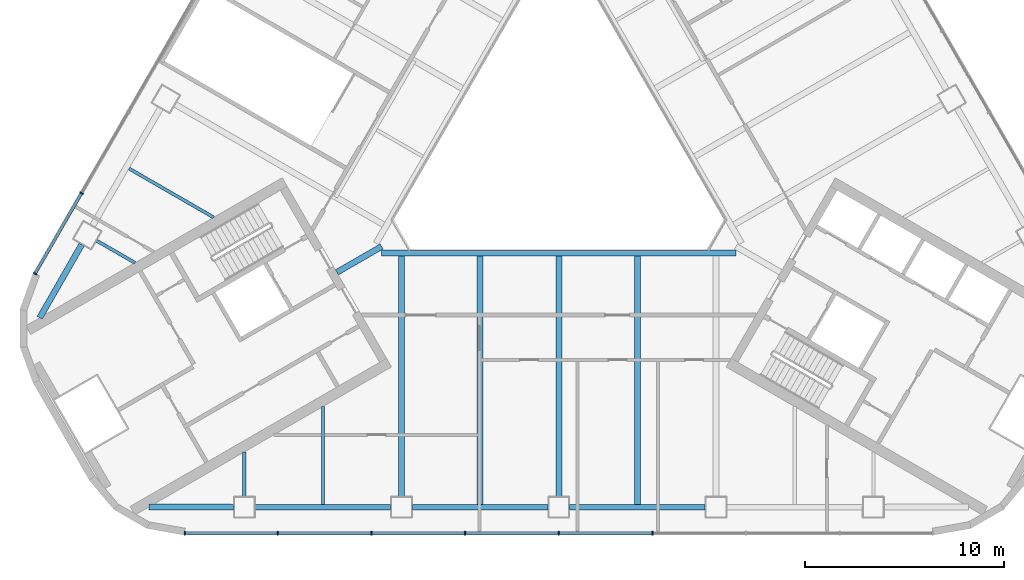
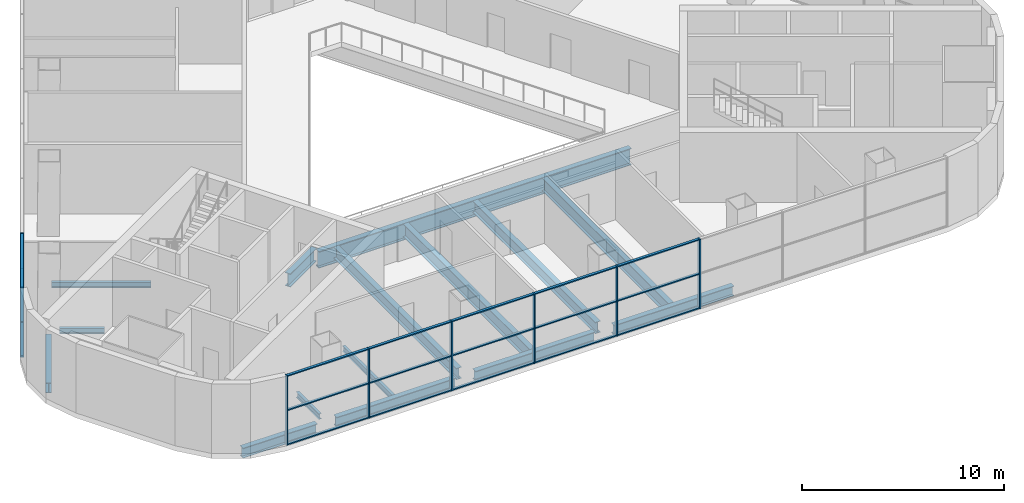
# One storey, part 2 of 12: 26 members, 15 beams, 2 elements without a shape of their own.
"""IFC4 building model written with IfcOpenShell, lengths in metres."""

from ifc_helpers import new_model, si_unit, direction, frame, origin, origin_2d, place, context, subcontext, project, spatial, rectangle, i_section, extrude, material, layer, layer_set, material_profile, profile_set, type_object, element, aggregate, save


model = new_model("IFC4")

# Units and contexts
model_context = context("Model", 3, precision=1e-05, world=origin(), true_north=direction((0.0, 1.0)))
body_context = subcontext(model_context, "Body", "Model", "MODEL_VIEW")
ifc_project = project(units=[si_unit("LENGTHUNIT", "METRE"), si_unit("AREAUNIT", "SQUARE_METRE"), si_unit("VOLUMEUNIT", "CUBIC_METRE"), si_unit("PLANEANGLEUNIT", "RADIAN"), si_unit("MASSUNIT", "GRAM", prefix="KILO")], contexts=[model_context])

# Site, building, storey
site_placement = place(None, origin())
site = spatial("IfcSite", under=ifc_project, at=site_placement, CompositionType="ELEMENT")
building_placement = place(site_placement, origin())
building = spatial("IfcBuilding", under=site, at=building_placement, Name="Apuvela Tower Hotel", CompositionType="ELEMENT")
storey_placement = place(building_placement, frame((0.0, 0.0, 33.0)))
storey = spatial("IfcBuildingStorey", under=building, at=storey_placement, Name="L05", CompositionType="ELEMENT", Elevation=33.0)

# Curtain wall, members
ifc_material_1 = material(Name="Aluminium 6063-T6, dark bronze anodised", Category="aluminium")
ifc_layer = layer(ifc_material_1, 0.199951171875)
ifc_layer_set = layer_set([ifc_layer], Name="ENV-CW-P")
curtain_wall_type = type_object("IfcCurtainWallType", Name="ENV-CW-P", PredefinedType="NOTDEFINED", material=ifc_layer_set)
curtain_wall_1_placement = place(storey_placement, origin())
curtain_wall_1 = element("IfcCurtainWall", 1, at=curtain_wall_1_placement, inside=storey, type_object=curtain_wall_type, Name="Curtain wall CW-P S L05", PredefinedType="NOTDEFINED")
ifc_material_profile_1 = material_profile(ifc_material_1, rectangle(XDim=0.199951171875, YDim=0.06494140625, at=origin_2d()), Name="AL 65x200")
ifc_profile_set_1 = profile_set([ifc_material_profile_1], Name="Aluminium 6063-T6, dark bronze anodised")
member_type_1 = type_object("IfcMemberType", Name="ENV-MULLION-65x200", PredefinedType="MULLION", material=ifc_profile_set_1)
member_1_placement = place(storey_placement, frame((-18.827392578125, -19.576171875, 0.0), z_axis=(0.0, 0.0, 1.0), x_axis=(0.0, 1.0, 0.0)))
member_1 = element("IfcMember", 2, at=member_1_placement, type_object=member_type_1, Name="CW-P mullion 1", PredefinedType="MULLION", context=body_context, shape_type="SweptSolid", body=[
    extrude(rectangle(XDim=0.199951171875, YDim=0.06494140625, at=origin_2d()), origin(), (0.0, 0.0, 1.0), 4.199951171875),
])
member_2_placement = place(storey_placement, frame((-14.14501953125, -19.576171875, 0.0), z_axis=(0.0, 0.0, 1.0), x_axis=(0.0, 1.0, 0.0)))
member_2 = element("IfcMember", 3, at=member_2_placement, type_object=member_type_1, Name="CW-P mullion 2", PredefinedType="MULLION", context=body_context, shape_type="SweptSolid", body=[
    extrude(rectangle(XDim=0.199951171875, YDim=0.06494140625, at=origin_2d()), origin(), (0.0, 0.0, 1.0), 4.199951171875),
])
member_3_placement = place(storey_placement, frame((-9.429931640625, -19.576171875, 0.0), z_axis=(0.0, 0.0, 1.0), x_axis=(0.0, 1.0, 0.0)))
member_3 = element("IfcMember", 4, at=member_3_placement, type_object=member_type_1, Name="CW-P mullion 3", PredefinedType="MULLION", context=body_context, shape_type="SweptSolid", body=[
    extrude(rectangle(XDim=0.199951171875, YDim=0.06494140625, at=origin_2d()), origin(), (0.0, 0.0, 1.0), 4.199951171875),
])
member_4_placement = place(storey_placement, frame((-4.715087890625, -19.576171875, 0.0), z_axis=(0.0, 0.0, 1.0), x_axis=(0.0, 1.0, 0.0)))
member_4 = element("IfcMember", 5, at=member_4_placement, type_object=member_type_1, Name="CW-P mullion 4", PredefinedType="MULLION", context=body_context, shape_type="SweptSolid", body=[
    extrude(rectangle(XDim=0.199951171875, YDim=0.06494140625, at=origin_2d()), origin(), (0.0, 0.0, 1.0), 4.199951171875),
])
member_5_placement = place(storey_placement, frame((0.0, -19.576171875, 0.0), z_axis=(0.0, 0.0, 1.0), x_axis=(0.0, 1.0, 0.0)))
member_5 = element("IfcMember", 6, at=member_5_placement, type_object=member_type_1, Name="CW-P mullion 5", PredefinedType="MULLION", context=body_context, shape_type="SweptSolid", body=[
    extrude(rectangle(XDim=0.199951171875, YDim=0.06494140625, at=origin_2d()), origin(), (0.0, 0.0, 1.0), 4.199951171875),
])
member_6_placement = place(storey_placement, frame((4.715087890625, -19.576171875, 0.0), z_axis=(0.0, 0.0, 1.0), x_axis=(0.0, 1.0, 0.0)))
member_6 = element("IfcMember", 7, at=member_6_placement, type_object=member_type_1, Name="CW-P mullion 6", PredefinedType="MULLION", context=body_context, shape_type="SweptSolid", body=[
    extrude(rectangle(XDim=0.199951171875, YDim=0.06494140625, at=origin_2d()), origin(), (0.0, 0.0, 1.0), 4.199951171875),
])

curtain_wall_2_placement = place(storey_placement, origin())
curtain_wall_2 = element("IfcCurtainWall", 8, at=curtain_wall_2_placement, inside=storey, type_object=curtain_wall_type, Name="Curtain wall CW-P NW L05", PredefinedType="NOTDEFINED")
member_7_placement = place(storey_placement, frame((-24.02587890625, -2.4619140625, 0.0), z_axis=(0.0, 0.0, 1.0), x_axis=(0.866025548062, -0.499999750104, 0.0)))
member_7 = element("IfcMember", 9, at=member_7_placement, type_object=member_type_1, Name="CW-P mullion 8", PredefinedType="MULLION", context=body_context, shape_type="SweptSolid", body=[
    extrude(rectangle(XDim=0.199951171875, YDim=0.06494140625, at=origin_2d()), origin(), (0.0, 0.0, 1.0), 4.199951171875),
])
member_8_placement = place(storey_placement, frame((-26.3671875, -6.51708984375, 0.0), z_axis=(0.0, 0.0, 1.0), x_axis=(0.866025548062, -0.499999750104, 0.0)))
member_8 = element("IfcMember", 10, at=member_8_placement, type_object=member_type_1, Name="CW-P mullion 9", PredefinedType="MULLION", context=body_context, shape_type="SweptSolid", body=[
    extrude(rectangle(XDim=0.199951171875, YDim=0.06494140625, at=origin_2d()), origin(), (0.0, 0.0, 1.0), 4.199951171875),
])

# Member
ifc_material_profile_2 = material_profile(ifc_material_1, rectangle(XDim=0.14990234375, YDim=0.06494140625, at=origin_2d()), Name="AL 65x150 transom")
ifc_profile_set_2 = profile_set([ifc_material_profile_2], Name="Aluminium 6063-T6, dark bronze anodised")
member_type_2 = type_object("IfcMemberType", Name="ENV-TRANSOM-65x150", PredefinedType="USERDEFINED", material=ifc_profile_set_2)
member_9_placement = place(storey_placement, frame((-18.794921875, -19.576171875, 0.032470703125), z_axis=(1.0, 0.0, 0.0), x_axis=(0.0, 1.0, 0.0)))
member_9 = element("IfcMember", 11, at=member_9_placement, type_object=member_type_2, Name="CW-P transom 1.1", ObjectType="TRANSOM", PredefinedType="USERDEFINED", context=body_context, shape_type="SweptSolid", body=[
    extrude(rectangle(XDim=0.14990234375, YDim=0.06494140625, at=origin_2d()), origin(), (0.0, 0.0, 1.0), 4.617431640625),
])

member_10_placement = place(storey_placement, frame((-18.794921875, -19.576171875, 2.10009765625), z_axis=(1.0, 0.0, 0.0), x_axis=(0.0, 1.0, 0.0)))
member_10 = element("IfcMember", 12, at=member_10_placement, type_object=member_type_2, Name="CW-P transom 1.2", ObjectType="TRANSOM", PredefinedType="USERDEFINED", context=body_context, shape_type="SweptSolid", body=[
    extrude(rectangle(XDim=0.14990234375, YDim=0.06494140625, at=origin_2d()), origin(), (0.0, 0.0, 1.0), 4.617431640625),
])

member_11_placement = place(storey_placement, frame((-18.794921875, -19.576171875, 4.16748046875), z_axis=(1.0, 0.0, 0.0), x_axis=(0.0, 1.0, 0.0)))
member_11 = element("IfcMember", 13, at=member_11_placement, type_object=member_type_2, Name="CW-P transom 1.3", ObjectType="TRANSOM", PredefinedType="USERDEFINED", context=body_context, shape_type="SweptSolid", body=[
    extrude(rectangle(XDim=0.14990234375, YDim=0.06494140625, at=origin_2d()), origin(), (0.0, 0.0, 1.0), 4.617431640625),
])

member_12_placement = place(storey_placement, frame((-14.112548828125, -19.576171875, 0.032470703125), z_axis=(1.0, 0.0, 0.0), x_axis=(0.0, 1.0, 0.0)))
member_12 = element("IfcMember", 14, at=member_12_placement, type_object=member_type_2, Name="CW-P transom 2.1", ObjectType="TRANSOM", PredefinedType="USERDEFINED", context=body_context, shape_type="SweptSolid", body=[
    extrude(rectangle(XDim=0.14990234375, YDim=0.06494140625, at=origin_2d()), origin(), (0.0, 0.0, 1.0), 4.650146484375),
])

member_13_placement = place(storey_placement, frame((-14.112548828125, -19.576171875, 2.10009765625), z_axis=(1.0, 0.0, 0.0), x_axis=(0.0, 1.0, 0.0)))
member_13 = element("IfcMember", 15, at=member_13_placement, type_object=member_type_2, Name="CW-P transom 2.2", ObjectType="TRANSOM", PredefinedType="USERDEFINED", context=body_context, shape_type="SweptSolid", body=[
    extrude(rectangle(XDim=0.14990234375, YDim=0.06494140625, at=origin_2d()), origin(), (0.0, 0.0, 1.0), 4.650146484375),
])

member_14_placement = place(storey_placement, frame((-14.112548828125, -19.576171875, 4.16748046875), z_axis=(1.0, 0.0, 0.0), x_axis=(0.0, 1.0, 0.0)))
member_14 = element("IfcMember", 16, at=member_14_placement, type_object=member_type_2, Name="CW-P transom 2.3", ObjectType="TRANSOM", PredefinedType="USERDEFINED", context=body_context, shape_type="SweptSolid", body=[
    extrude(rectangle(XDim=0.14990234375, YDim=0.06494140625, at=origin_2d()), origin(), (0.0, 0.0, 1.0), 4.650146484375),
])

member_15_placement = place(storey_placement, frame((-9.3974609375, -19.576171875, 0.032470703125), z_axis=(1.0, 0.0, 0.0), x_axis=(0.0, 1.0, 0.0)))
member_15 = element("IfcMember", 17, at=member_15_placement, type_object=member_type_2, Name="CW-P transom 3.1", ObjectType="TRANSOM", PredefinedType="USERDEFINED", context=body_context, shape_type="SweptSolid", body=[
    extrude(rectangle(XDim=0.14990234375, YDim=0.06494140625, at=origin_2d()), origin(), (0.0, 0.0, 1.0), 4.64990234375),
])

member_16_placement = place(storey_placement, frame((-9.3974609375, -19.576171875, 2.10009765625), z_axis=(1.0, 0.0, 0.0), x_axis=(0.0, 1.0, 0.0)))
member_16 = element("IfcMember", 18, at=member_16_placement, type_object=member_type_2, Name="CW-P transom 3.2", ObjectType="TRANSOM", PredefinedType="USERDEFINED", context=body_context, shape_type="SweptSolid", body=[
    extrude(rectangle(XDim=0.14990234375, YDim=0.06494140625, at=origin_2d()), origin(), (0.0, 0.0, 1.0), 4.64990234375),
])

member_17_placement = place(storey_placement, frame((-9.3974609375, -19.576171875, 4.16748046875), z_axis=(1.0, 0.0, 0.0), x_axis=(0.0, 1.0, 0.0)))
member_17 = element("IfcMember", 19, at=member_17_placement, type_object=member_type_2, Name="CW-P transom 3.3", ObjectType="TRANSOM", PredefinedType="USERDEFINED", context=body_context, shape_type="SweptSolid", body=[
    extrude(rectangle(XDim=0.14990234375, YDim=0.06494140625, at=origin_2d()), origin(), (0.0, 0.0, 1.0), 4.64990234375),
])

member_18_placement = place(storey_placement, frame((-4.6826171875, -19.576171875, 0.032470703125), z_axis=(1.0, 0.0, 0.0), x_axis=(0.0, 1.0, 0.0)))
member_18 = element("IfcMember", 20, at=member_18_placement, type_object=member_type_2, Name="CW-P transom 4.1", ObjectType="TRANSOM", PredefinedType="USERDEFINED", context=body_context, shape_type="SweptSolid", body=[
    extrude(rectangle(XDim=0.14990234375, YDim=0.06494140625, at=origin_2d()), origin(), (0.0, 0.0, 1.0), 4.650146484375),
])

member_19_placement = place(storey_placement, frame((-4.6826171875, -19.576171875, 2.10009765625), z_axis=(1.0, 0.0, 0.0), x_axis=(0.0, 1.0, 0.0)))
member_19 = element("IfcMember", 21, at=member_19_placement, type_object=member_type_2, Name="CW-P transom 4.2", ObjectType="TRANSOM", PredefinedType="USERDEFINED", context=body_context, shape_type="SweptSolid", body=[
    extrude(rectangle(XDim=0.14990234375, YDim=0.06494140625, at=origin_2d()), origin(), (0.0, 0.0, 1.0), 4.650146484375),
])

member_20_placement = place(storey_placement, frame((-4.6826171875, -19.576171875, 4.16748046875), z_axis=(1.0, 0.0, 0.0), x_axis=(0.0, 1.0, 0.0)))
member_20 = element("IfcMember", 22, at=member_20_placement, type_object=member_type_2, Name="CW-P transom 4.3", ObjectType="TRANSOM", PredefinedType="USERDEFINED", context=body_context, shape_type="SweptSolid", body=[
    extrude(rectangle(XDim=0.14990234375, YDim=0.06494140625, at=origin_2d()), origin(), (0.0, 0.0, 1.0), 4.650146484375),
])

member_21_placement = place(storey_placement, frame((0.032470703125, -19.576171875, 0.032470703125), z_axis=(1.0, 0.0, 0.0), x_axis=(0.0, 1.0, 0.0)))
member_21 = element("IfcMember", 23, at=member_21_placement, type_object=member_type_2, Name="CW-P transom 5.1", ObjectType="TRANSOM", PredefinedType="USERDEFINED", context=body_context, shape_type="SweptSolid", body=[
    extrude(rectangle(XDim=0.14990234375, YDim=0.06494140625, at=origin_2d()), origin(), (0.0, 0.0, 1.0), 4.650146484375),
])

member_22_placement = place(storey_placement, frame((0.032470703125, -19.576171875, 2.10009765625), z_axis=(1.0, 0.0, 0.0), x_axis=(0.0, 1.0, 0.0)))
member_22 = element("IfcMember", 24, at=member_22_placement, type_object=member_type_2, Name="CW-P transom 5.2", ObjectType="TRANSOM", PredefinedType="USERDEFINED", context=body_context, shape_type="SweptSolid", body=[
    extrude(rectangle(XDim=0.14990234375, YDim=0.06494140625, at=origin_2d()), origin(), (0.0, 0.0, 1.0), 4.650146484375),
])

member_23_placement = place(storey_placement, frame((0.032470703125, -19.576171875, 4.16748046875), z_axis=(1.0, 0.0, 0.0), x_axis=(0.0, 1.0, 0.0)))
member_23 = element("IfcMember", 25, at=member_23_placement, type_object=member_type_2, Name="CW-P transom 5.3", ObjectType="TRANSOM", PredefinedType="USERDEFINED", context=body_context, shape_type="SweptSolid", body=[
    extrude(rectangle(XDim=0.14990234375, YDim=0.06494140625, at=origin_2d()), origin(), (0.0, 0.0, 1.0), 4.650146484375),
])

aggregate(curtain_wall_1, [member_1, member_2, member_3, member_4, member_5, member_6, member_9, member_10, member_11, member_12, member_13, member_14, member_15, member_16, member_17, member_18, member_19, member_20, member_21, member_22, member_23])

member_24_placement = place(storey_placement, frame((-24.042236328125, -2.489990234375, 0.032470703125), z_axis=(-0.499960447986, -0.866048237946, 0.0), x_axis=(0.866048237946, -0.499960447986, 0.0)))
member_24 = element("IfcMember", 26, at=member_24_placement, type_object=member_type_2, Name="CW-P transom 8.1", ObjectType="TRANSOM", PredefinedType="USERDEFINED", context=body_context, shape_type="SweptSolid", body=[
    extrude(rectangle(XDim=0.14990234375, YDim=0.06494140625, at=origin_2d()), origin(), (0.0, 0.0, 1.0), 4.617431640625),
])

member_25_placement = place(storey_placement, frame((-24.042236328125, -2.489990234375, 2.10009765625), z_axis=(-0.499960447986, -0.866048237946, 0.0), x_axis=(0.866048237946, -0.499960447986, 0.0)))
member_25 = element("IfcMember", 27, at=member_25_placement, type_object=member_type_2, Name="CW-P transom 8.2", ObjectType="TRANSOM", PredefinedType="USERDEFINED", context=body_context, shape_type="SweptSolid", body=[
    extrude(rectangle(XDim=0.14990234375, YDim=0.06494140625, at=origin_2d()), origin(), (0.0, 0.0, 1.0), 4.617431640625),
])

member_26_placement = place(storey_placement, frame((-24.042236328125, -2.489990234375, 4.16748046875), z_axis=(-0.499960447986, -0.866048237946, 0.0), x_axis=(0.866048237946, -0.499960447986, 0.0)))
member_26 = element("IfcMember", 28, at=member_26_placement, type_object=member_type_2, Name="CW-P transom 8.3", ObjectType="TRANSOM", PredefinedType="USERDEFINED", context=body_context, shape_type="SweptSolid", body=[
    extrude(rectangle(XDim=0.14990234375, YDim=0.06494140625, at=origin_2d()), origin(), (0.0, 0.0, 1.0), 4.617431640625),
])

aggregate(curtain_wall_2, [member_7, member_8, member_24, member_25, member_26])

# Beams
ifc_material_2 = material(Name="Steel S355", Category="steel")
ifc_material_profile_3 = material_profile(ifc_material_2, i_section(OverallWidth=0.300048828125, OverallDepth=0.68994140625, WebThickness=0.014404296875, FlangeThickness=0.027099609375, at=origin_2d()), Name="HE 700 A")
ifc_profile_set_3 = profile_set([ifc_material_profile_3], Name="Steel S355")
beam_type_1 = type_object("IfcBeamType", Name="STR-B floor beam HE 700 A", PredefinedType="BEAM", material=ifc_profile_set_3)
for number, where, z_axis, x_axis, name in (
    (29, (-7.91845703125, -17.72607421875, -0.64501953125), (0.0, 1.0, 0.0), (-1.0, 0.0, 0.0), "Floor beam B6 S3"),
    (30, (0.0, -17.72607421875, -0.64501953125), (0.0, 1.0, 0.0), (-1.0, 0.0, 0.0), "Floor beam B6 S5"),
):
    element("IfcBeam", number, at=place(storey_placement, frame(where, z_axis=z_axis, x_axis=x_axis)), inside=storey, type_object=beam_type_1, Name=name, PredefinedType="BEAM", context=body_context, shape_type="SweptSolid", body=[
        extrude(i_section(OverallWidth=0.300048828125, OverallDepth=0.68994140625, WebThickness=0.014404296875, FlangeThickness=0.027099609375, at=origin_2d()), origin(), (0.0, 0.0, 1.0), 12.10400390625),
    ])
ifc_material_profile_4 = material_profile(ifc_material_2, i_section(OverallWidth=0.300048828125, OverallDepth=0.7900390625, WebThickness=0.014892578125, FlangeThickness=0.028076171875, at=origin_2d()), Name="HE 800 A")
ifc_profile_set_4 = profile_set([ifc_material_profile_4], Name="Steel S355")
beam_type_2 = type_object("IfcBeamType", Name="STR-B floor beam HE 800 A", PredefinedType="BEAM", material=ifc_profile_set_4)
for number, where, z_axis, x_axis, name in (
    (31, (-3.959228515625, -18.126220703125, -0.695068359375), (0.0, 1.0, 0.0), (-1.0, 0.0, 0.0), "Floor beam B5 S4"),
    (32, (3.959228515625, -18.126220703125, -0.695068359375), (0.0, 1.0, 0.0), (-1.0, 0.0, 0.0), "Floor beam B5 S6"),
):
    element("IfcBeam", number, at=place(storey_placement, frame(where, z_axis=z_axis, x_axis=x_axis)), inside=storey, type_object=beam_type_2, Name=name, PredefinedType="BEAM", context=body_context, shape_type="SweptSolid", body=[
        extrude(i_section(OverallWidth=0.300048828125, OverallDepth=0.7900390625, WebThickness=0.014892578125, FlangeThickness=0.028076171875, at=origin_2d()), origin(), (0.0, 0.0, 1.0), 12.504150390625),
    ])
ifc_material_profile_5 = material_profile(ifc_material_2, i_section(OverallWidth=0.159912109375, OverallDepth=0.330078125, WebThickness=0.007568359375, FlangeThickness=0.011474609375, at=origin_2d()), Name="IPE 330")
ifc_profile_set_5 = profile_set([ifc_material_profile_5], Name="Steel S355")
beam_type_3 = type_object("IfcBeamType", Name="STR-B floor beam IPE 330", PredefinedType="BEAM", material=ifc_profile_set_5)
beam_1_placement = place(storey_placement, frame((-21.63671875, -1.223388671875, -0.465087890625), z_axis=(0.866044222282, -0.49996740399, 0.0), x_axis=(0.49996740399, 0.866044222282, 0.0)))
element("IfcBeam", 33, at=beam_1_placement, inside=storey, type_object=beam_type_3, Name="Floor beam B1 NW8", PredefinedType="BEAM", context=body_context, shape_type="SweptSolid", body=[
    extrude(i_section(OverallWidth=0.159912109375, OverallDepth=0.330078125, WebThickness=0.007568359375, FlangeThickness=0.011474609375, at=origin_2d()), origin(), (0.0, 0.0, 1.0), 4.917724609375),
])
beam_2_placement = place(storey_placement, frame((-23.269775390625, -4.852294921875, -0.465087890625), z_axis=(0.866039839502, -0.499974995771, 0.0), x_axis=(0.499974995771, 0.866039839502, 0.0)))
element("IfcBeam", 34, at=beam_2_placement, inside=storey, type_object=beam_type_3, Name="Floor beam B1 NW9", PredefinedType="BEAM", context=body_context, shape_type="SweptSolid", body=[
    extrude(i_section(OverallWidth=0.159912109375, OverallDepth=0.330078125, WebThickness=0.007568359375, FlangeThickness=0.011474609375, at=origin_2d()), origin(), (0.0, 0.0, 1.0), 2.2314453125),
])
beam_3_placement = place(storey_placement, frame((-15.837158203125, -17.72607421875, -0.465087890625), z_axis=(0.0, 1.0, 0.0), x_axis=(-1.0, 0.0, 0.0)))
element("IfcBeam", 35, at=beam_3_placement, inside=storey, type_object=beam_type_3, Name="Floor beam B1 S1", PredefinedType="BEAM", context=body_context, shape_type="SweptSolid", body=[
    extrude(i_section(OverallWidth=0.159912109375, OverallDepth=0.330078125, WebThickness=0.007568359375, FlangeThickness=0.011474609375, at=origin_2d()), origin(), (0.0, 0.0, 1.0), 2.231689453125),
])
beam_4_placement = place(storey_placement, frame((-11.877685546875, -18.126220703125, -0.465087890625), z_axis=(0.0, 1.0, 0.0), x_axis=(-1.0, 0.0, 0.0)))
element("IfcBeam", 36, at=beam_4_placement, inside=storey, type_object=beam_type_3, Name="Floor beam B1 S2", PredefinedType="BEAM", context=body_context, shape_type="SweptSolid", body=[
    extrude(i_section(OverallWidth=0.159912109375, OverallDepth=0.330078125, WebThickness=0.007568359375, FlangeThickness=0.011474609375, at=origin_2d()), origin(), (0.0, 0.0, 1.0), 4.917724609375),
])
ifc_material_profile_6 = material_profile(ifc_material_2, i_section(OverallWidth=0.302001953125, OverallDepth=1.008056640625, WebThickness=0.02099609375, FlangeThickness=0.0400390625, at=origin_2d()), Name="HE 1000 M")
ifc_profile_set_6 = profile_set([ifc_material_profile_6], Name="Steel S355")
beam_type_4 = type_object("IfcBeamType", Name="STR-G atrium ring girder HE 1000 M", PredefinedType="BEAM", material=ifc_profile_set_6)
beam_5_placement = place(storey_placement, frame((-8.91455078125, -5.470947265625, -0.803955078125), z_axis=(1.0, 0.0, 0.0), x_axis=(0.0, 1.0, 0.0)))
element("IfcBeam", 37, at=beam_5_placement, inside=storey, type_object=beam_type_4, Name="Atrium ring girder G1 SW-SE", PredefinedType="BEAM", context=body_context, shape_type="SweptSolid", body=[
    extrude(i_section(OverallWidth=0.302001953125, OverallDepth=1.008056640625, WebThickness=0.02099609375, FlangeThickness=0.0400390625, at=origin_2d()), origin(), (0.0, 0.0, 1.0), 17.8291015625),
])
ifc_material_profile_7 = material_profile(ifc_material_2, i_section(OverallWidth=0.300048828125, OverallDepth=0.800048828125, WebThickness=0.017578125, FlangeThickness=0.032958984375, at=origin_2d()), Name="HE 800 B")
ifc_profile_set_7 = profile_set([ifc_material_profile_7], Name="Steel S355")
beam_type_5 = type_object("IfcBeamType", Name="STR-GT core tie beam HE 800 B", PredefinedType="BEAM", material=ifc_profile_set_7)
beam_6_placement = place(storey_placement, frame((-11.171630859375, -6.449951171875, -0.699951171875), z_axis=(0.865997922154, 0.500047596559, 0.0), x_axis=(-0.500047596559, 0.865997922154, 0.0)))
element("IfcBeam", 38, at=beam_6_placement, inside=storey, type_object=beam_type_5, Name="Core tie beam GT1 SW", PredefinedType="BEAM", context=body_context, shape_type="SweptSolid", body=[
    extrude(i_section(OverallWidth=0.300048828125, OverallDepth=0.800048828125, WebThickness=0.017578125, FlangeThickness=0.032958984375, at=origin_2d()), origin(), (0.0, 0.0, 1.0), 2.599853515625),
])
ifc_material_profile_8 = material_profile(ifc_material_2, i_section(OverallWidth=0.300048828125, OverallDepth=0.60009765625, WebThickness=0.015380859375, FlangeThickness=0.030029296875, at=origin_2d()), Name="HE 600 B")
ifc_profile_set_8 = profile_set([ifc_material_profile_8], Name="Steel S355")
beam_type_6 = type_object("IfcBeamType", Name="STR-SB spandrel beam HE 600 B", PredefinedType="SPANDREL", material=ifc_profile_set_8)
beam_7_placement = place(storey_placement, frame((-15.287109375, -18.276123046875, -0.60009765625), z_axis=(1.0, 0.0, 0.0), x_axis=(0.0, 1.0, 0.0)))
element("IfcBeam", 39, at=beam_7_placement, inside=storey, type_object=beam_type_6, Name="Spandrel beam SB1 S1", PredefinedType="SPANDREL", context=body_context, shape_type="SweptSolid", body=[
    extrude(i_section(OverallWidth=0.300048828125, OverallDepth=0.60009765625, WebThickness=0.015380859375, FlangeThickness=0.030029296875, at=origin_2d()), origin(), (0.0, 0.0, 1.0), 6.818603515625),
])
for number, where, z_axis, x_axis, name in (
    (40, (-7.368408203125, -18.276123046875, -0.60009765625), (1.0, 0.0, 0.0), (0.0, 1.0, 0.0), "Spandrel beam SB1 S2"),
    (41, (0.550048828125, -18.276123046875, -0.60009765625), (1.0, 0.0, 0.0), (0.0, 1.0, 0.0), "Spandrel beam SB1 S3"),
):
    element("IfcBeam", number, at=place(storey_placement, frame(where, z_axis=z_axis, x_axis=x_axis)), inside=storey, type_object=beam_type_6, Name=name, PredefinedType="SPANDREL", context=body_context, shape_type="SweptSolid", body=[
        extrude(i_section(OverallWidth=0.300048828125, OverallDepth=0.60009765625, WebThickness=0.015380859375, FlangeThickness=0.030029296875, at=origin_2d()), origin(), (0.0, 0.0, 1.0), 6.818359375),
    ])
beam_8_placement = place(storey_placement, frame((-16.38720703125, -18.274658203125, -0.60009765625), z_axis=(-0.999996347719, 0.002702692832, 0.0), x_axis=(-0.002702692832, -0.999996347719, 0.0)))
element("IfcBeam", 42, at=beam_8_placement, inside=storey, type_object=beam_type_6, Name="Spandrel beam SB1 S1-SW", PredefinedType="SPANDREL", context=body_context, shape_type="SweptSolid", body=[
    extrude(i_section(OverallWidth=0.300048828125, OverallDepth=0.60009765625, WebThickness=0.015380859375, FlangeThickness=0.030029296875, at=origin_2d()), origin(), (0.0, 0.0, 1.0), 4.24560546875),
])
beam_9_placement = place(storey_placement, frame((-24.019775390625, -5.05419921875, -0.60009765625), z_axis=(-0.497680095092, -0.867360664861, 0.0), x_axis=(0.867360664861, -0.497680095092, 0.0)))
element("IfcBeam", 43, at=beam_9_placement, inside=storey, type_object=beam_type_6, Name="Spandrel beam SB1 NW5-SW", PredefinedType="SPANDREL", context=body_context, shape_type="SweptSolid", body=[
    extrude(i_section(OverallWidth=0.300048828125, OverallDepth=0.60009765625, WebThickness=0.015380859375, FlangeThickness=0.030029296875, at=origin_2d()), origin(), (0.0, 0.0, 1.0), 4.245849609375),
])

save(model, "model.ifc")
